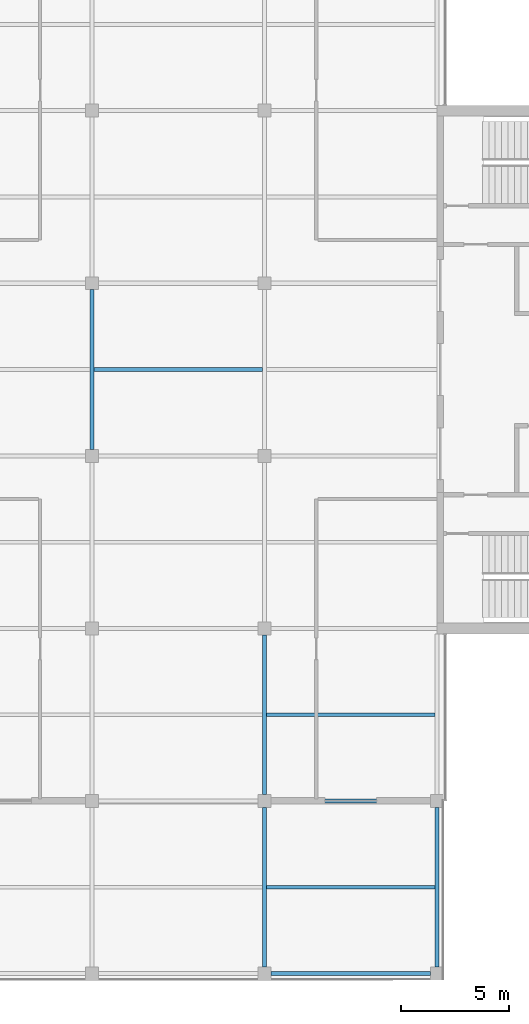
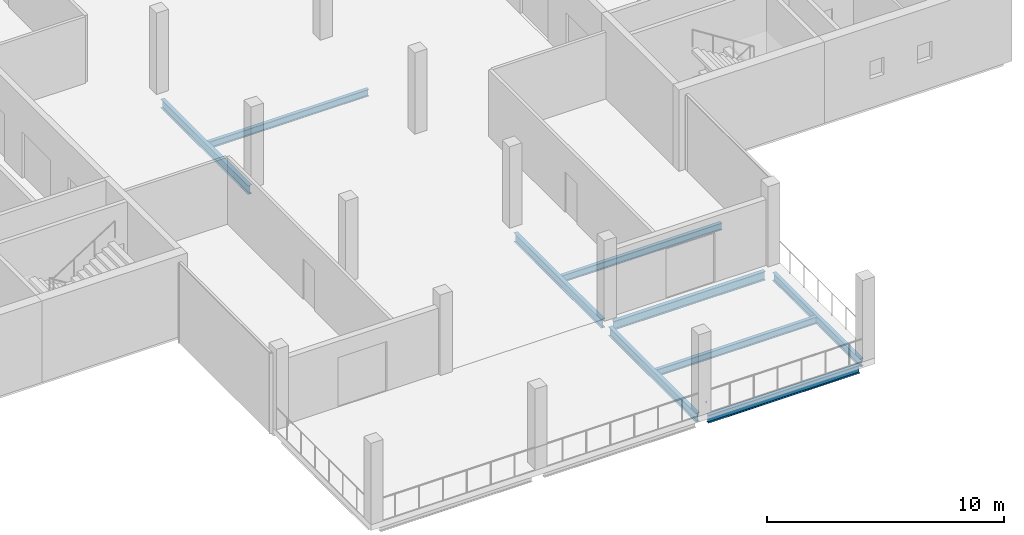
# One storey, part 3 of 12: 9 beams.
"""IFC4 building model written with IfcOpenShell, lengths in metres."""

from ifc_helpers import new_model, si_unit, direction, frame, origin, origin_2d, place, context, subcontext, project, spatial, i_section, extrude, material, material_profile, profile_set, type_object, element, save


model = new_model("IFC4")

# Units and contexts
model_context = context("Model", 3, precision=1e-05, world=origin(), true_north=direction((0.0, 1.0)))
body_context = subcontext(model_context, "Body", "Model", "MODEL_VIEW")
ifc_project = project(units=[si_unit("LENGTHUNIT", "METRE"), si_unit("AREAUNIT", "SQUARE_METRE"), si_unit("VOLUMEUNIT", "CUBIC_METRE"), si_unit("PLANEANGLEUNIT", "RADIAN"), si_unit("MASSUNIT", "GRAM", prefix="KILO")], contexts=[model_context])

# Site, building, storey
site_placement = place(None, origin())
site = spatial("IfcSite", under=ifc_project, at=site_placement, CompositionType="ELEMENT")
building_placement = place(site_placement, origin())
building = spatial("IfcBuilding", under=site, at=building_placement, Name="Crosswind Convention Tower", CompositionType="ELEMENT")
storey_placement = place(building_placement, frame((0.0, 0.0, 323.89990234375)))
storey = spatial("IfcBuildingStorey", under=building, at=storey_placement, Name="L70", CompositionType="ELEMENT", Elevation=323.89990234375)

# Beams
ifc_material = material(Name="Steel S355", Category="steel")
ifc_material_profile_1 = material_profile(ifc_material, i_section(OverallWidth=0.177734375, OverallDepth=0.406494140625, WebThickness=0.0078125, FlangeThickness=0.0126953125, FilletRadius=0.01025390625, at=origin_2d()), Name="UB 406x178x60")
ifc_profile_set_1 = profile_set([ifc_material_profile_1], Name="Steel S355")
beam_type_1 = type_object("IfcBeamType", Name="Edge beam UB 406x178x60", PredefinedType="SPANDREL", material=ifc_profile_set_1)
for number, where, z_axis, x_axis, name in (
    (1, (129.300048828125, 72.0, -0.503173828125), (1.0, 0.0, 0.0), (0.0, 1.0, 0.0), "B15 L70 edge beam 9"),
    (2, (137.0, 72.300048828125, -0.503173828125), (0.0, 1.0, 0.0), (-1.0, 0.0, 0.0), "B15 L70 edge beam 11"),
):
    element("IfcBeam", number, at=place(storey_placement, frame(where, z_axis=z_axis, x_axis=x_axis)), inside=storey, type_object=beam_type_1, Name=name, PredefinedType="SPANDREL", context=body_context, shape_type="SweptSolid", body=[
        extrude(i_section(OverallWidth=0.177734375, OverallDepth=0.406494140625, WebThickness=0.0078125, FlangeThickness=0.0126953125, FilletRadius=0.01025390625, at=origin_2d()), origin(), (0.0, 0.0, 1.0), 7.39990234375),
    ])
ifc_material_profile_2 = material_profile(ifc_material, i_section(OverallWidth=0.18994140625, OverallDepth=0.45361328125, WebThickness=0.008544921875, FlangeThickness=0.0126953125, FilletRadius=0.01025390625, at=origin_2d()), Name="UB 457x191x67")
ifc_profile_set_2 = profile_set([ifc_material_profile_2], Name="Steel S355")
beam_type_2 = type_object("IfcBeamType", Name="Girder UB 457x191x67", PredefinedType="BEAM", material=ifc_profile_set_2)
for number, where, z_axis, x_axis, name in (
    (3, (121.0, 96.300048828125, -0.526611328125), (0.0, 1.0, 0.0), (-1.0, 0.0, 0.0), "B1 L70 girder 6"),
    (4, (129.0, 72.300048828125, -0.526611328125), (0.0, 1.0, 0.0), (-1.0, 0.0, 0.0), "B1 L70 girder 16"),
    (5, (129.0, 80.300048828125, -0.526611328125), (0.0, 1.0, 0.0), (-1.0, 0.0, 0.0), "B1 L70 girder 17"),
    (6, (129.300048828125, 80.0, -0.526611328125), (1.0, 0.0, 0.0), (0.0, 1.0, 0.0), "B1 L70 girder 23"),
):
    element("IfcBeam", number, at=place(storey_placement, frame(where, z_axis=z_axis, x_axis=x_axis)), inside=storey, type_object=beam_type_2, Name=name, PredefinedType="BEAM", context=body_context, shape_type="SweptSolid", body=[
        extrude(i_section(OverallWidth=0.18994140625, OverallDepth=0.45361328125, WebThickness=0.008544921875, FlangeThickness=0.0126953125, FilletRadius=0.01025390625, at=origin_2d()), origin(), (0.0, 0.0, 1.0), 7.39990234375),
    ])
ifc_material_profile_3 = material_profile(ifc_material, i_section(OverallWidth=0.17138671875, OverallDepth=0.355712890625, WebThickness=0.00732421875, FlangeThickness=0.011474609375, FilletRadius=0.01025390625, at=origin_2d()), Name="UB 356x171x51")
ifc_profile_set_3 = profile_set([ifc_material_profile_3], Name="Steel S355")
beam_type_3 = type_object("IfcBeamType", Name="Secondary beam UB 356x171x51", PredefinedType="JOIST", material=ifc_profile_set_3)
beam_placement = place(storey_placement, frame((121.094970703125, 100.0, -0.477783203125), z_axis=(1.0, 0.0, 0.0), x_axis=(0.0, 1.0, 0.0)))
element("IfcBeam", 7, at=beam_placement, inside=storey, type_object=beam_type_3, Name="B8 L70 secondary beam 11", PredefinedType="JOIST", context=body_context, shape_type="SweptSolid", body=[
    extrude(i_section(OverallWidth=0.17138671875, OverallDepth=0.355712890625, WebThickness=0.00732421875, FlangeThickness=0.011474609375, FilletRadius=0.01025390625, at=origin_2d()), origin(), (0.0, 0.0, 1.0), 7.81005859375),
])
for number, where, z_axis, x_axis, name in (
    (8, (129.094970703125, 76.0, -0.477783203125), (1.0, 0.0, 0.0), (0.0, 1.0, 0.0), "B8 L70 secondary beam 15"),
    (9, (129.094970703125, 84.0, -0.477783203125), (1.0, 0.0, 0.0), (0.0, 1.0, 0.0), "B8 L70 secondary beam 16"),
):
    element("IfcBeam", number, at=place(storey_placement, frame(where, z_axis=z_axis, x_axis=x_axis)), inside=storey, type_object=beam_type_3, Name=name, PredefinedType="JOIST", context=body_context, shape_type="SweptSolid", body=[
        extrude(i_section(OverallWidth=0.17138671875, OverallDepth=0.355712890625, WebThickness=0.00732421875, FlangeThickness=0.011474609375, FilletRadius=0.01025390625, at=origin_2d()), origin(), (0.0, 0.0, 1.0), 7.816162109375),
    ])

save(model, "model.ifc")
